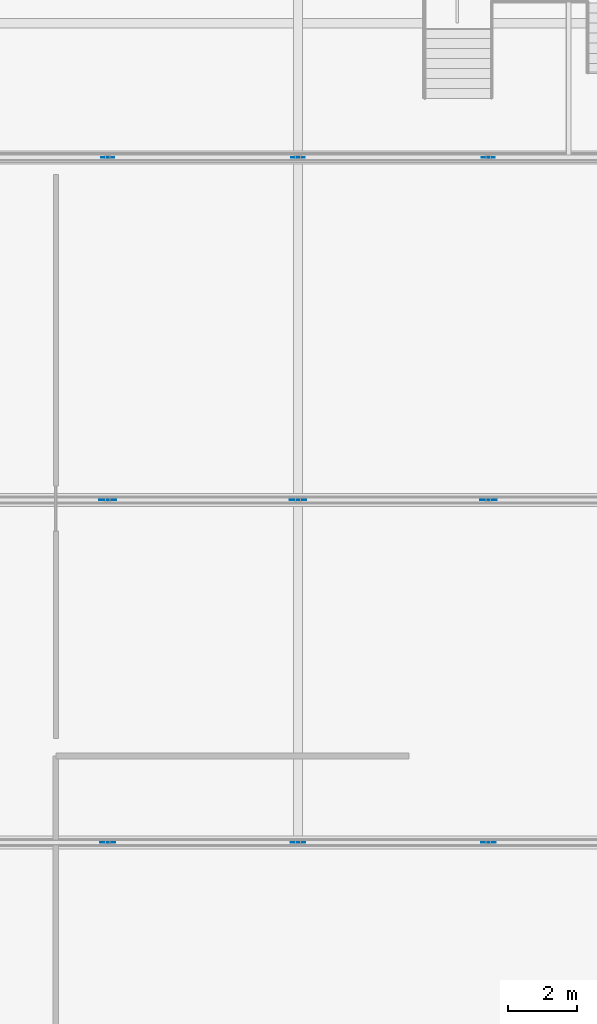
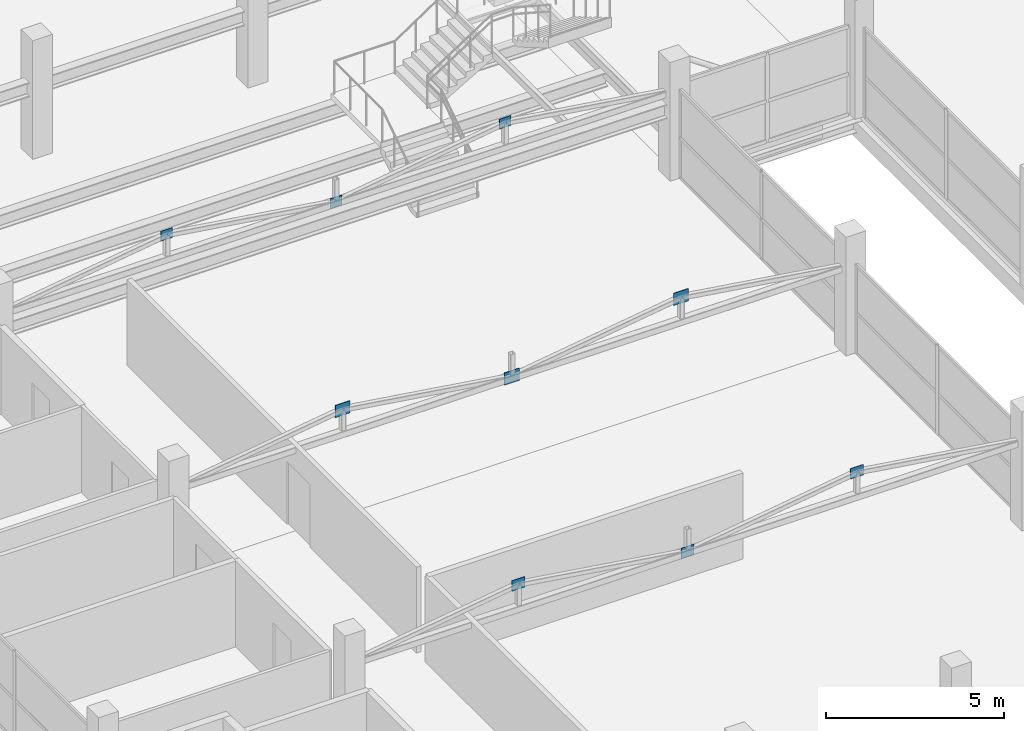
# One storey, part 56 of 70: 9 plates.
"""IFC4 building model written with IfcOpenShell, lengths in metres."""

from ifc_helpers import new_model, si_unit, direction, frame, origin, origin_2d, place, context, subcontext, project, spatial, rectangle, extrude, material, layer, layer_set, type_object, element, save


model = new_model("IFC4")

# Units and contexts
model_context = context("Model", 3, precision=1e-05, world=origin(), true_north=direction((0.0, 1.0)))
body_context = subcontext(model_context, "Body", "Model", "MODEL_VIEW")
ifc_project = project(units=[si_unit("LENGTHUNIT", "METRE"), si_unit("AREAUNIT", "SQUARE_METRE"), si_unit("VOLUMEUNIT", "CUBIC_METRE"), si_unit("PLANEANGLEUNIT", "RADIAN"), si_unit("MASSUNIT", "GRAM", prefix="KILO")], contexts=[model_context])

# Site, building, storey
site_placement = place(None, origin())
site = spatial("IfcSite", under=ifc_project, at=site_placement, CompositionType="ELEMENT")
building_placement = place(site_placement, origin())
building = spatial("IfcBuilding", under=site, at=building_placement, Name="Sillaruma Civic Art Gallery", CompositionType="ELEMENT")
storey_placement = place(building_placement, frame((0.0, 0.0, 66.300048828125)))
storey = spatial("IfcBuildingStorey", under=building, at=storey_placement, Name="L13", CompositionType="ELEMENT", Elevation=66.300048828125)

# Plates
ifc_material = material(Name="Structural Steel ASTM A992 Gr.50", Category="steel")
ifc_layer_1 = layer(ifc_material, 0.01611328125, Name="Structural Steel ASTM A992 Gr.50")
ifc_layer_set_1 = layer_set([ifc_layer_1], Name="Structural Steel ASTM A992 Gr.50")
plate_type_1 = type_object("IfcPlateType", Name="PLT-GUS-16", PredefinedType="SHEET", material=ifc_layer_set_1)
for number, where, z_axis, x_axis, name in (
    (1, (75.5, 69.300048828125, 3.47802734375), (0.0, 0.0, 1.0), (1.0, 0.0, 0.0), "Truss Gusset Plate GP-05 (TR-L13-3-1)"),
    (2, (81.0, 69.300048828125, 2.669921875), (0.0, 0.0, 1.0), (1.0, 0.0, 0.0), "Truss Gusset Plate GP-05 (TR-L13-3-2)"),
    (3, (86.5, 69.300048828125, 3.47802734375), (0.0, 0.0, 1.0), (1.0, 0.0, 0.0), "Truss Gusset Plate GP-05 (TR-L13-3-3)"),
):
    element("IfcPlate", number, at=place(storey_placement, frame(where, z_axis=z_axis, x_axis=x_axis)), inside=storey, type_object=plate_type_1, Name=name, PredefinedType="SHEET", context=body_context, shape_type="SweptSolid", body=[
        extrude(rectangle(XDim=0.3798828125, YDim=0.01611328125, at=origin_2d()), origin(), (0.0, 0.0, 1.0), 0.340087890625),
    ])
ifc_layer_2 = layer(ifc_material, 0.01806640625, Name="Structural Steel ASTM A992 Gr.50")
ifc_layer_set_2 = layer_set([ifc_layer_2], Name="Structural Steel ASTM A992 Gr.50")
plate_type_2 = type_object("IfcPlateType", Name="PLT-GUS-18", PredefinedType="SHEET", material=ifc_layer_set_2)
for number, where, z_axis, x_axis, name in (
    (4, (75.5, 49.5, 3.4677734375), (0.0, 0.0, 1.0), (1.0, 0.0, 0.0), "Truss Gusset Plate GP-03 (TR-L13-1-1)"),
    (5, (81.0, 49.5, 2.65966796875), (0.0, 0.0, 1.0), (1.0, 0.0, 0.0), "Truss Gusset Plate GP-03 (TR-L13-1-2)"),
    (6, (86.5, 49.5, 3.4677734375), (0.0, 0.0, 1.0), (1.0, 0.0, 0.0), "Truss Gusset Plate GP-03 (TR-L13-1-3)"),
):
    element("IfcPlate", number, at=place(storey_placement, frame(where, z_axis=z_axis, x_axis=x_axis)), inside=storey, type_object=plate_type_2, Name=name, PredefinedType="SHEET", context=body_context, shape_type="SweptSolid", body=[
        extrude(rectangle(XDim=0.419921875, YDim=0.01806640625, at=origin_2d()), origin(), (0.0, 0.0, 1.0), 0.360107421875),
    ])
ifc_layer_3 = layer(ifc_material, 0.02197265625, Name="Structural Steel ASTM A992 Gr.50")
ifc_layer_set_3 = layer_set([ifc_layer_3], Name="Structural Steel ASTM A992 Gr.50")
plate_type_3 = type_object("IfcPlateType", Name="PLT-GUS-22", PredefinedType="SHEET", material=ifc_layer_set_3)
for number, where, z_axis, x_axis, name in (
    (7, (75.5, 59.39990234375, 3.43798828125), (0.0, 0.0, 1.0), (1.0, 0.0, 0.0), "Truss Gusset Plate GP-04 (TR-L13-2-1)"),
    (8, (81.0, 59.39990234375, 2.6298828125), (0.0, 0.0, 1.0), (1.0, 0.0, 0.0), "Truss Gusset Plate GP-04 (TR-L13-2-2)"),
    (9, (86.5, 59.39990234375, 3.43798828125), (0.0, 0.0, 1.0), (1.0, 0.0, 0.0), "Truss Gusset Plate GP-04 (TR-L13-2-3)"),
):
    element("IfcPlate", number, at=place(storey_placement, frame(where, z_axis=z_axis, x_axis=x_axis)), inside=storey, type_object=plate_type_3, Name=name, PredefinedType="SHEET", context=body_context, shape_type="SweptSolid", body=[
        extrude(rectangle(XDim=0.47998046875, YDim=0.02197265625, at=origin_2d()), origin(), (0.0, 0.0, 1.0), 0.419921875),
    ])

save(model, "model.ifc")
